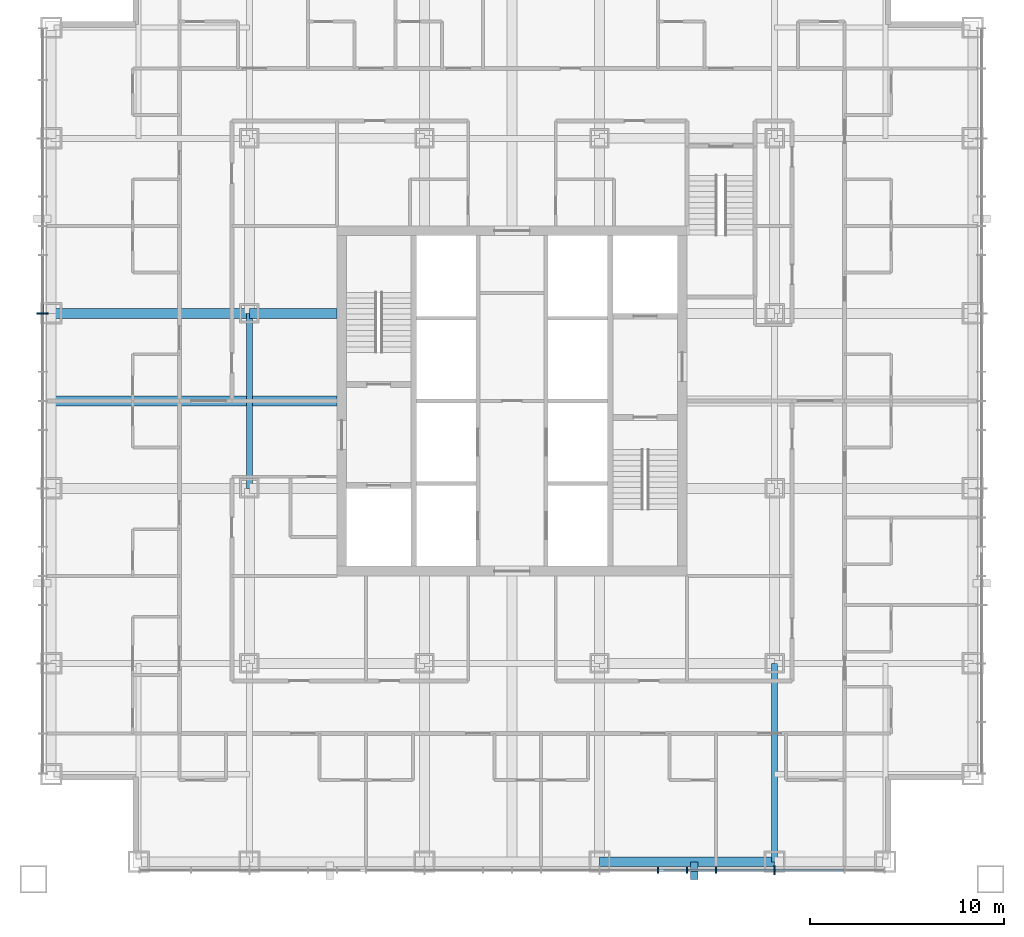
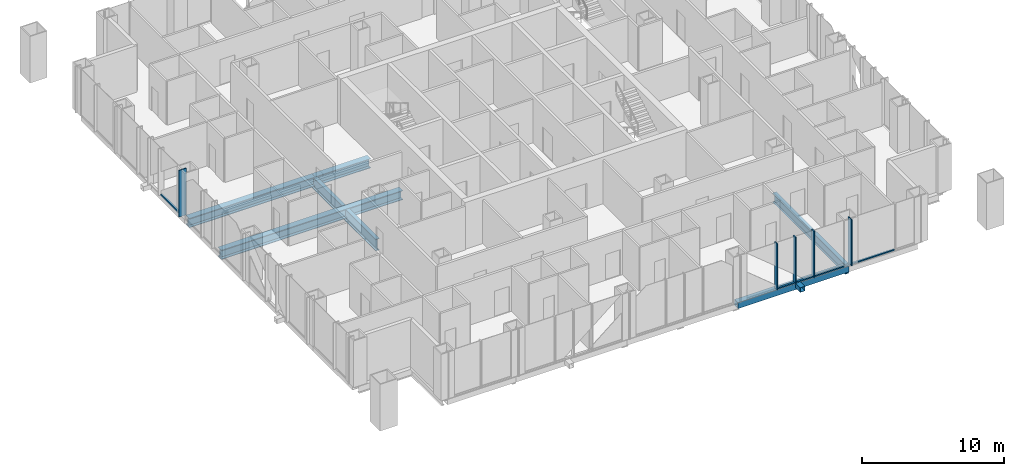
# One storey, part 3 of 18: 11 members, 6 beams, 2 elements without a shape of their own.
"""IFC4 building model written with IfcOpenShell, lengths in metres."""

import ifcopenshell
import ifcopenshell.guid

model = None  # the IFC model being written
_history = None  # IfcOwnerHistory: only IFC2X3 demands one
_inside = {}  # id of a spatial element -> (the spatial element, [elements in it])
_under = {}  # id of a project, library or spatial element -> (it, [spatial elements below it])
_declared = {}  # id of a project -> (the project, [libraries it declares])
_typed = {}  # id of a type object -> (the type object, [elements of that type])
_made_of = {}  # id of a material, layer set ... -> (it, [elements and type objects made of it])


def new_model(schema):
    """Start an empty IFC model of exactly this schema.

    Asked for "IFC4X3", IfcOpenShell would pick the latest addendum, in which some entities
    have other attributes; the version numbers below select the first issue.
    IFC2X3 requires an IfcOwnerHistory on every rooted entity: one is made here for all.
    """
    global model, _history
    if schema == "IFC4X3":
        model = ifcopenshell.file(schema_version=(4, 3, 0, 0))
    else:
        model = ifcopenshell.file(schema=schema)
    _inside.clear()
    _under.clear()
    _declared.clear()
    _typed.clear()
    _made_of.clear()
    _history = None
    if model.schema == "IFC2X3":
        org = make("IfcOrganization", Name="unknown")
        user = make(
            "IfcPersonAndOrganization",
            ThePerson=make("IfcPerson", FamilyName="unknown"),
            TheOrganization=org,
        )
        app = make(
            "IfcApplication",
            ApplicationDeveloper=org,
            Version="unknown",
            ApplicationFullName="unknown",
            ApplicationIdentifier="unknown",
        )
        _history = make(
            "IfcOwnerHistory",
            OwningUser=user,
            OwningApplication=app,
            ChangeAction="ADDED",
            CreationDate=0,
        )
    return model


def make(cls, **values):
    """One entity of the class cls with the attributes given. An attribute that is None is left unset."""
    return model.create_entity(
        cls, **{name: value for name, value in values.items() if value is not None}
    )


def rooted(cls, **values):
    """An entity with a GlobalId (a new one), such as an element, a storey or a relation."""
    return make(cls, GlobalId=ifcopenshell.guid.new(), OwnerHistory=_history, **values)


def si_unit(unit_type, name, prefix=None):
    """IfcSIUnit, for example si_unit("LENGTHUNIT", "METRE", prefix="MILLI")."""
    return make("IfcSIUnit", UnitType=unit_type, Prefix=prefix, Name=name)


def assignment(units):
    """IfcUnitAssignment: the units of a project."""
    return None if units is None else make("IfcUnitAssignment", Units=units)


def point(xyz):
    """IfcCartesianPoint."""
    return None if xyz is None else make("IfcCartesianPoint", Coordinates=xyz)


def direction(xyz):
    """IfcDirection."""
    return None if xyz is None else make("IfcDirection", DirectionRatios=xyz)


def frame(location, z_axis=None, x_axis=None):
    """IfcAxis2Placement3D, a coordinate frame: its origin and axes. An axis left out is left unset."""
    return make(
        "IfcAxis2Placement3D",
        Location=point(location),
        Axis=direction(z_axis),
        RefDirection=direction(x_axis),
    )


def frame_2d(location, x_axis=None):
    """IfcAxis2Placement2D, a coordinate frame in the plane: its origin and x axis."""
    return make(
        "IfcAxis2Placement2D", Location=point(location), RefDirection=direction(x_axis)
    )


def origin():
    """The frame at (0, 0, 0) with its axes left unset."""
    return frame((0.0, 0.0, 0.0))


def origin_2d():
    """The frame at (0, 0) in the plane with its x axis left unset."""
    return frame_2d((0.0, 0.0))


def place(relative_to, where):
    """IfcLocalPlacement: puts the frame where relative to a parent placement (None: the world)."""
    return make(
        "IfcLocalPlacement", PlacementRelTo=relative_to, RelativePlacement=where
    )


def context(
    kind, dimensions, precision=None, world=None, true_north=None, identifier=None
):
    """IfcGeometricRepresentationContext, for example the 3D "Model" context."""
    return make(
        "IfcGeometricRepresentationContext",
        ContextIdentifier=identifier,
        ContextType=kind,
        CoordinateSpaceDimension=dimensions,
        Precision=precision,
        WorldCoordinateSystem=world,
        TrueNorth=true_north,
    )


def subcontext(parent, identifier, kind, view, scale=None):
    """IfcGeometricRepresentationSubContext, for example "Body" below "Model"."""
    return make(
        "IfcGeometricRepresentationSubContext",
        ContextIdentifier=identifier,
        ContextType=kind,
        ParentContext=parent,
        TargetScale=scale,
        TargetView=view,
    )


def project(units=None, contexts=None):
    """IfcProject with its units and contexts."""
    return rooted(
        "IfcProject",
        Name="project",
        RepresentationContexts=contexts,
        UnitsInContext=assignment(units),
    )


def spatial(cls, under=None, at=None, **own):
    """A site, building, storey or space (cls), placed at a placement, below another one or the project."""
    s = rooted(cls, ObjectPlacement=at, **own)
    if under is not None:
        _under.setdefault(under.id(), (under, []))[1].append(s)
    return s


def profile(cls, at=None, kind="AREA", **sizes):
    """A parametric profile (cls). Its sizes go by their IFC names, for example OverallWidth=200.0."""
    return make(cls, ProfileType=kind, Position=at, **sizes)


def rectangle(**sizes):
    """IfcRectangleProfileDef."""
    return profile("IfcRectangleProfileDef", **sizes)


def hollow_rectangle(**sizes):
    """IfcRectangleHollowProfileDef."""
    return profile("IfcRectangleHollowProfileDef", **sizes)


def i_section(**sizes):
    """IfcIShapeProfileDef."""
    return profile("IfcIShapeProfileDef", **sizes)


def extrude(swept, where, along, depth):
    """IfcExtrudedAreaSolid: the profile swept, set in the frame where, extruded along a direction by depth."""
    return make(
        "IfcExtrudedAreaSolid",
        SweptArea=swept,
        Position=where,
        ExtrudedDirection=direction(along),
        Depth=depth,
    )


def shape(context_of_items, identifier, shape_type, items):
    """IfcShapeRepresentation: the items that make up one representation, for example the "Body"."""
    return make(
        "IfcShapeRepresentation",
        ContextOfItems=context_of_items,
        RepresentationIdentifier=identifier,
        RepresentationType=shape_type,
        Items=items,
    )


def material(Name=None, Category=None):
    """IfcMaterial."""
    return make("IfcMaterial", Name=Name, Category=Category)


def layer(
    of_material, thickness, ventilated=None, Name=None, Category=None, Priority=None
):
    """IfcMaterialLayer: one layer of a wall or slab, of a material (None: an air gap)."""
    return make(
        "IfcMaterialLayer",
        Material=of_material,
        LayerThickness=thickness,
        IsVentilated=ventilated,
        Name=Name,
        Category=Category,
        Priority=Priority,
    )


def layer_set(layers, Name=None):
    """IfcMaterialLayerSet."""
    return make("IfcMaterialLayerSet", MaterialLayers=layers, LayerSetName=Name)


def material_profile(
    of_material, cross_section, Name=None, Category=None, Priority=None
):
    """IfcMaterialProfile: a cross section and its material."""
    return make(
        "IfcMaterialProfile",
        Name=Name,
        Material=of_material,
        Profile=cross_section,
        Priority=Priority,
        Category=Category,
    )


def profile_set(profiles, Name=None, composite=None):
    """IfcMaterialProfileSet."""
    return make(
        "IfcMaterialProfileSet",
        Name=Name,
        MaterialProfiles=profiles,
        CompositeProfile=composite,
    )


def made_of(thing, what):
    """Note that an element or type object is made of a material, layer set ...; save() writes the relation."""
    if what is not None:
        _made_of.setdefault(what.id(), (what, []))[1].append(thing)
    return thing


def type_object(cls, material=None, **own):
    """A type object (cls), such as IfcWallType, which elements share."""
    return made_of(rooted(cls, **own), material)


def element(
    cls,
    number,
    at=None,
    inside=None,
    cuts=None,
    type_object=None,
    material=None,
    context=None,
    identifier="Body",
    shape_type=None,
    held_by="IfcProductDefinitionShape",
    body=None,
    shapes=None,
    **own,
):
    """One element of the class cls, such as IfcWall. Its Tag is "e" and its number.

    at: its placement. inside: the storey or other place that contains it. cuts: it is an
    opening in that element (IfcRelVoidsElement). A single representation is given by context,
    identifier, shape_type and body (its items); several are given by shapes. held_by: the class
    of the entity that holds the representations. save() writes the other relations.
    """
    e = rooted(cls, Tag="e%d" % number, ObjectPlacement=at, **own)
    if body is not None:
        shapes = [shape(context, identifier, shape_type, body)]
    if shapes is not None:
        e.Representation = make(held_by, Representations=shapes)
    if inside is not None:
        _inside.setdefault(inside.id(), (inside, []))[1].append(e)
    if cuts is not None:
        rooted(
            "IfcRelVoidsElement", RelatingBuildingElement=cuts, RelatedOpeningElement=e
        )
    if type_object is not None:
        _typed.setdefault(type_object.id(), (type_object, []))[1].append(e)
    return made_of(e, material)


def aggregate(whole, parts):
    """IfcRelAggregates: a whole, such as a stair, and the parts it consists of."""
    return rooted("IfcRelAggregates", RelatingObject=whole, RelatedObjects=parts)


def save(model, path):
    """Write the relations noted so far, then the file.

    IfcRelAggregates (storeys below a building ...), IfcRelContainedInSpatialStructure (elements
    in a storey), IfcRelDefinesByType, IfcRelAssociatesMaterial and IfcRelDeclares: one each for
    every whole, place, type object, material and project.
    """
    for whole, parts in _under.values():
        aggregate(whole, parts)
    for where, things in _inside.values():
        rooted(
            "IfcRelContainedInSpatialStructure",
            RelatedElements=things,
            RelatingStructure=where,
        )
    for kind, things in _typed.values():
        rooted("IfcRelDefinesByType", RelatedObjects=things, RelatingType=kind)
    for what, things in _made_of.values():
        rooted("IfcRelAssociatesMaterial", RelatedObjects=things, RelatingMaterial=what)
    for by, libraries in _declared.values():
        rooted("IfcRelDeclares", RelatingContext=by, RelatedDefinitions=libraries)
    model.write(path)


model = new_model("IFC4")

# Units and contexts
model_context = context("Model", 3, precision=1e-05, world=origin(), true_north=direction((0.0, 1.0)))
body_context = subcontext(model_context, "Body", "Model", "MODEL_VIEW")
ifc_project = project(units=[si_unit("LENGTHUNIT", "METRE"), si_unit("AREAUNIT", "SQUARE_METRE"), si_unit("VOLUMEUNIT", "CUBIC_METRE"), si_unit("PLANEANGLEUNIT", "RADIAN"), si_unit("MASSUNIT", "GRAM", prefix="KILO")], contexts=[model_context])

# Site, building, storey
site_placement = place(None, origin())
site = spatial("IfcSite", under=ifc_project, at=site_placement, CompositionType="ELEMENT")
building_placement = place(site_placement, origin())
building = spatial("IfcBuilding", under=site, at=building_placement, Name="Malebo Sky Hospital", CompositionType="ELEMENT")
storey_placement = place(building_placement, frame((0.0, 0.0, 112.0)))
storey = spatial("IfcBuildingStorey", under=building, at=storey_placement, Name="L26", CompositionType="ELEMENT", Elevation=112.0)

# Curtain wall, member
ifc_material_1 = material(Name="Anodised aluminium, natural silver", Category="aluminium")
ifc_layer_1 = layer(ifc_material_1, 0.25)
ifc_layer_set_1 = layer_set([ifc_layer_1], Name="WARD CURTAIN WALL EAST AND WEST")
curtain_wall_type_1 = type_object("IfcCurtainWallType", Name="WARD CURTAIN WALL EAST AND WEST", PredefinedType="NOTDEFINED", material=ifc_layer_set_1)
curtain_wall_1_placement = place(storey_placement, origin())
curtain_wall_1 = element("IfcCurtainWall", 1, at=curtain_wall_1_placement, inside=storey, type_object=curtain_wall_type_1, Name="EW curtain wall W", PredefinedType="NOTDEFINED")
ifc_material_profile_1 = material_profile(ifc_material_1, rectangle(XDim=0.14990234375, YDim=0.10009765625, at=origin_2d()), Name="ALUMINIUM TRANSOM 150x100")
ifc_profile_set_1 = profile_set([ifc_material_profile_1], Name="Anodised aluminium, natural silver")
member_type_1 = type_object("IfcMemberType", Name="ALUMINIUM TRANSOM 150x100", PredefinedType="USERDEFINED", material=ifc_profile_set_1)
member_1_placement = place(storey_placement, frame((35.864990234375, 66.53759765625, 0.050048828125), z_axis=(0.0, 1.0, 0.0), x_axis=(-1.0, 0.0, 0.0)))
member_1 = element("IfcMember", 2, at=member_1_placement, type_object=member_type_1, Name="Transom 11", ObjectType="TRANSOM", PredefinedType="USERDEFINED", context=body_context, shape_type="SweptSolid", body=[
    extrude(rectangle(XDim=0.14990234375, YDim=0.10009765625, at=origin_2d()), origin(), (0.0, 0.0, 1.0), 2.9248046875),
])

# Curtain wall, members
ifc_layer_2 = layer(ifc_material_1, 0.25)
ifc_layer_set_2 = layer_set([ifc_layer_2], Name="WARD CURTAIN WALL NORTH AND SOUTH")
curtain_wall_type_2 = type_object("IfcCurtainWallType", Name="WARD CURTAIN WALL NORTH AND SOUTH", PredefinedType="NOTDEFINED", material=ifc_layer_set_2)
curtain_wall_2_placement = place(storey_placement, origin())
curtain_wall_2 = element("IfcCurtainWall", 3, at=curtain_wall_2_placement, inside=storey, type_object=curtain_wall_type_2, Name="NS curtain wall S", PredefinedType="NOTDEFINED")
member_2_placement = place(storey_placement, frame((77.0625, 37.864990234375, 0.050048828125), z_axis=(-1.0, 0.0, 0.0), x_axis=(0.0, -1.0, 0.0)))
member_2 = element("IfcMember", 4, at=member_2_placement, type_object=member_type_1, Name="Transom 2", ObjectType="TRANSOM", PredefinedType="USERDEFINED", context=body_context, shape_type="SweptSolid", body=[
    extrude(rectangle(XDim=0.14990234375, YDim=0.10009765625, at=origin_2d()), origin(), (0.0, 0.0, 1.0), 3.52490234375),
])
member_3_placement = place(storey_placement, frame((73.46240234375, 37.864990234375, 0.050048828125), z_axis=(-1.0, 0.0, 0.0), x_axis=(0.0, -1.0, 0.0)))
member_3 = element("IfcMember", 5, at=member_3_placement, type_object=member_type_1, Name="Transom 3", ObjectType="TRANSOM", PredefinedType="USERDEFINED", context=body_context, shape_type="SweptSolid", body=[
    extrude(rectangle(XDim=0.14990234375, YDim=0.10009765625, at=origin_2d()), origin(), (0.0, 0.0, 1.0), 2.9248046875),
])
member_4_placement = place(storey_placement, frame((70.46240234375, 37.864990234375, 0.050048828125), z_axis=(-1.0, 0.0, 0.0), x_axis=(0.0, -1.0, 0.0)))
member_4 = element("IfcMember", 6, at=member_4_placement, type_object=member_type_1, Name="Transom 4", ObjectType="TRANSOM", PredefinedType="USERDEFINED", context=body_context, shape_type="SweptSolid", body=[
    extrude(rectangle(XDim=0.14990234375, YDim=0.10009765625, at=origin_2d()), origin(), (0.0, 0.0, 1.0), 1.4248046875),
])
member_5_placement = place(storey_placement, frame((68.96240234375, 37.864990234375, 0.050048828125), z_axis=(-1.0, 0.0, 0.0), x_axis=(0.0, -1.0, 0.0)))
member_5 = element("IfcMember", 7, at=member_5_placement, type_object=member_type_1, Name="Transom 5", ObjectType="TRANSOM", PredefinedType="USERDEFINED", context=body_context, shape_type="SweptSolid", body=[
    extrude(rectangle(XDim=0.14990234375, YDim=0.10009765625, at=origin_2d()), origin(), (0.0, 0.0, 1.0), 1.4248046875),
])

# Member
ifc_material_2 = material(Name="Steel S355", Category="steel")
ifc_material_profile_2 = material_profile(ifc_material_2, hollow_rectangle(XDim=0.39990234375, YDim=0.39990234375, WallThickness=0.02001953125, at=origin_2d()), Name="SHS 400x20")
ifc_profile_set_2 = profile_set([ifc_material_profile_2], Name="Steel S355")
member_type_2 = type_object("IfcMemberType", Name="BRACE STRUT SHS 400x20", PredefinedType="STRUT", material=ifc_profile_set_2)
member_6_placement = place(storey_placement, frame((69.372802734375, 37.39990234375, -0.39990234375), z_axis=(0.0, 1.0, 0.0), x_axis=(-1.0, 0.0, 0.0)))
element("IfcMember", 8, at=member_6_placement, inside=storey, type_object=member_type_2, Name="Brace strut BS2 L26", PredefinedType="STRUT", context=body_context, shape_type="SweptSolid", body=[
    extrude(hollow_rectangle(XDim=0.39990234375, YDim=0.39990234375, WallThickness=0.02001953125, at=origin_2d()), origin(), (0.0, 0.0, 1.0), 0.900146484375),
])

ifc_material_profile_3 = material_profile(ifc_material_1, rectangle(XDim=0.074951171875, YDim=0.300048828125, at=origin_2d()), Name="CW1 ALUMINIUM FIN MULLION 75x300")
ifc_profile_set_3 = profile_set([ifc_material_profile_3], Name="Anodised aluminium, natural silver")
member_type_3 = type_object("IfcMemberType", Name="CW1 ALUMINIUM FIN MULLION 75x300", PredefinedType="MULLION", material=ifc_profile_set_3)
member_7_placement = place(storey_placement, frame((70.5, 37.864990234375, 0.0), z_axis=(0.0, 0.0, 1.0), x_axis=(-1.0, 0.0, 0.0)))
member_7 = element("IfcMember", 9, at=member_7_placement, type_object=member_type_3, Name="Fin mullion 4", PredefinedType="MULLION", context=body_context, shape_type="SweptSolid", body=[
    extrude(rectangle(XDim=0.074951171875, YDim=0.300048828125, at=origin_2d()), origin(), (0.0, 0.0, 1.0), 4.0),
])

member_8_placement = place(storey_placement, frame((69.0, 37.864990234375, 0.0), z_axis=(0.0, 0.0, 1.0), x_axis=(-1.0, 0.0, 0.0)))
member_8 = element("IfcMember", 10, at=member_8_placement, type_object=member_type_3, Name="Fin mullion 5", PredefinedType="MULLION", context=body_context, shape_type="SweptSolid", body=[
    extrude(rectangle(XDim=0.074951171875, YDim=0.300048828125, at=origin_2d()), origin(), (0.0, 0.0, 1.0), 4.0),
])

member_9_placement = place(storey_placement, frame((67.5, 37.864990234375, 0.0), z_axis=(0.0, 0.0, 1.0), x_axis=(-1.0, 0.0, 0.0)))
member_9 = element("IfcMember", 11, at=member_9_placement, type_object=member_type_3, Name="Fin mullion 6", PredefinedType="MULLION", context=body_context, shape_type="SweptSolid", body=[
    extrude(rectangle(XDim=0.074951171875, YDim=0.300048828125, at=origin_2d()), origin(), (0.0, 0.0, 1.0), 4.0),
])

ifc_material_profile_4 = material_profile(ifc_material_1, rectangle(XDim=0.074951171875, YDim=0.449951171875, at=origin_2d()), Name="CW1 ALUMINIUM FIN MULLION 75x450")
ifc_profile_set_4 = profile_set([ifc_material_profile_4], Name="Anodised aluminium, natural silver")
member_type_4 = type_object("IfcMemberType", Name="CW1 ALUMINIUM FIN MULLION 75x450", PredefinedType="MULLION", material=ifc_profile_set_4)
member_10_placement = place(storey_placement, frame((73.5, 37.864990234375, 0.0), z_axis=(0.0, 0.0, 1.0), x_axis=(-1.0, 0.0, 0.0)))
member_10 = element("IfcMember", 12, at=member_10_placement, type_object=member_type_4, Name="Fin mullion 3", PredefinedType="MULLION", context=body_context, shape_type="SweptSolid", body=[
    extrude(rectangle(XDim=0.074951171875, YDim=0.449951171875, at=origin_2d()), origin(), (0.0, 0.0, 1.0), 4.0),
])

aggregate(curtain_wall_2, [member_10, member_7, member_8, member_9, member_2, member_3, member_4, member_5])

ifc_material_profile_5 = material_profile(ifc_material_1, rectangle(XDim=0.074951171875, YDim=0.60009765625, at=origin_2d()), Name="CW2 ALUMINIUM FIN MULLION 75x600")
ifc_profile_set_5 = profile_set([ifc_material_profile_5], Name="Anodised aluminium, natural silver")
member_type_5 = type_object("IfcMemberType", Name="CW2 ALUMINIUM FIN MULLION 75x600", PredefinedType="MULLION", material=ifc_profile_set_5)
member_11_placement = place(storey_placement, frame((35.864990234375, 66.5, 0.0), z_axis=(0.0, 0.0, 1.0), x_axis=(0.0, 1.0, 0.0)))
member_11 = element("IfcMember", 13, at=member_11_placement, type_object=member_type_5, Name="Fin mullion 11", PredefinedType="MULLION", context=body_context, shape_type="SweptSolid", body=[
    extrude(rectangle(XDim=0.074951171875, YDim=0.60009765625, at=origin_2d()), origin(), (0.0, 0.0, 1.0), 4.0),
])

aggregate(curtain_wall_1, [member_11, member_1])

# Beams
ifc_material_3 = material(Name="Steel S460", Category="steel")
ifc_material_profile_6 = material_profile(ifc_material_3, hollow_rectangle(XDim=0.5, YDim=0.5, WallThickness=0.030029296875, at=origin_2d()), Name="BOX 500x500x30")
ifc_profile_set_6 = profile_set([ifc_material_profile_6], Name="Steel S460")
beam_type_1 = type_object("IfcBeamType", Name="EDGE BEAM BOX 500x500x30", PredefinedType="BEAM", material=ifc_profile_set_6)
beam_1_placement = place(storey_placement, frame((64.5, 38.300048828125, -0.5), z_axis=(1.0, 0.0, 0.0), x_axis=(0.0, 1.0, 0.0)))
element("IfcBeam", 14, at=beam_1_placement, inside=storey, type_object=beam_type_1, Name="Beam 037 L26", PredefinedType="BEAM", context=body_context, shape_type="SweptSolid", body=[
    extrude(hollow_rectangle(XDim=0.5, YDim=0.5, WallThickness=0.030029296875, at=origin_2d()), origin(), (0.0, 0.0, 1.0), 9.0),
])
ifc_material_profile_7 = material_profile(ifc_material_2, i_section(OverallWidth=0.5, OverallDepth=0.800048828125, WebThickness=0.030029296875, FlangeThickness=0.050048828125, at=origin_2d()), Name="PG 800x500x30x50")
ifc_profile_set_7 = profile_set([ifc_material_profile_7], Name="Steel S355")
beam_type_2 = type_object("IfcBeamType", Name="FLOOR BEAM PG 800x500x30x50", PredefinedType="BEAM", material=ifc_profile_set_7)
beam_2_placement = place(storey_placement, frame((36.300048828125, 62.0, -0.64990234375), z_axis=(1.0, 0.0, 0.0), x_axis=(0.0, 1.0, 0.0)))
element("IfcBeam", 15, at=beam_2_placement, inside=storey, type_object=beam_type_2, Name="Beam 050 L26", PredefinedType="BEAM", context=body_context, shape_type="SweptSolid", body=[
    extrude(i_section(OverallWidth=0.5, OverallDepth=0.800048828125, WebThickness=0.030029296875, FlangeThickness=0.050048828125, at=origin_2d()), origin(), (0.0, 0.0, 1.0), 14.699951171875),
])
beam_3_placement = place(storey_placement, frame((36.300048828125, 66.5, -0.64990234375), z_axis=(1.0, 0.0, 0.0), x_axis=(0.0, 1.0, 0.0)))
element("IfcBeam", 16, at=beam_3_placement, inside=storey, type_object=beam_type_2, Name="Beam 052 L26", PredefinedType="BEAM", context=body_context, shape_type="SweptSolid", body=[
    extrude(i_section(OverallWidth=0.5, OverallDepth=0.800048828125, WebThickness=0.030029296875, FlangeThickness=0.050048828125, at=origin_2d()), origin(), (0.0, 0.0, 1.0), 10.199951171875),
])
beam_4_placement = place(storey_placement, frame((46.5, 66.5, -0.64990234375), z_axis=(1.0, 0.0, 0.0), x_axis=(0.0, 1.0, 0.0)))
element("IfcBeam", 17, at=beam_4_placement, inside=storey, type_object=beam_type_2, Name="Beam 053 L26", PredefinedType="BEAM", context=body_context, shape_type="SweptSolid", body=[
    extrude(i_section(OverallWidth=0.5, OverallDepth=0.800048828125, WebThickness=0.030029296875, FlangeThickness=0.050048828125, at=origin_2d()), origin(), (0.0, 0.0, 1.0), 4.5),
])
ifc_material_profile_8 = material_profile(ifc_material_2, i_section(OverallWidth=0.300048828125, OverallDepth=0.800048828125, WebThickness=0.017578125, FlangeThickness=0.032958984375, FilletRadius=0.030029296875, at=origin_2d()), Name="HEB 800")
ifc_profile_set_8 = profile_set([ifc_material_profile_8], Name="Steel S355")
beam_type_3 = type_object("IfcBeamType", Name="FLOOR GIRDER HEB 800", PredefinedType="BEAM", material=ifc_profile_set_8)
beam_5_placement = place(storey_placement, frame((73.5, 38.300048828125, -0.64990234375), z_axis=(0.0, 1.0, 0.0), x_axis=(-1.0, 0.0, 0.0)))
element("IfcBeam", 18, at=beam_5_placement, inside=storey, type_object=beam_type_3, Name="Beam 022 L26", PredefinedType="BEAM", context=body_context, shape_type="SweptSolid", body=[
    extrude(i_section(OverallWidth=0.300048828125, OverallDepth=0.800048828125, WebThickness=0.017578125, FlangeThickness=0.032958984375, FilletRadius=0.030029296875, at=origin_2d()), origin(), (0.0, 0.0, 1.0), 10.199951171875),
])
ifc_material_profile_9 = material_profile(ifc_material_2, i_section(OverallWidth=0.300048828125, OverallDepth=1.0, WebThickness=0.01904296875, FlangeThickness=0.035888671875, FilletRadius=0.030029296875, at=origin_2d()), Name="HEB 1000")
ifc_profile_set_9 = profile_set([ifc_material_profile_9], Name="Steel S355")
beam_type_4 = type_object("IfcBeamType", Name="RING GIRDER HEB 1000", PredefinedType="BEAM", material=ifc_profile_set_9)
beam_6_placement = place(storey_placement, frame((46.5, 57.5, -0.75), z_axis=(0.0, 1.0, 0.0), x_axis=(-1.0, 0.0, 0.0)))
element("IfcBeam", 19, at=beam_6_placement, inside=storey, type_object=beam_type_4, Name="Beam 009 L26", PredefinedType="BEAM", context=body_context, shape_type="SweptSolid", body=[
    extrude(i_section(OverallWidth=0.300048828125, OverallDepth=1.0, WebThickness=0.01904296875, FlangeThickness=0.035888671875, FilletRadius=0.030029296875, at=origin_2d()), origin(), (0.0, 0.0, 1.0), 9.0),
])

save(model, "model.ifc")
